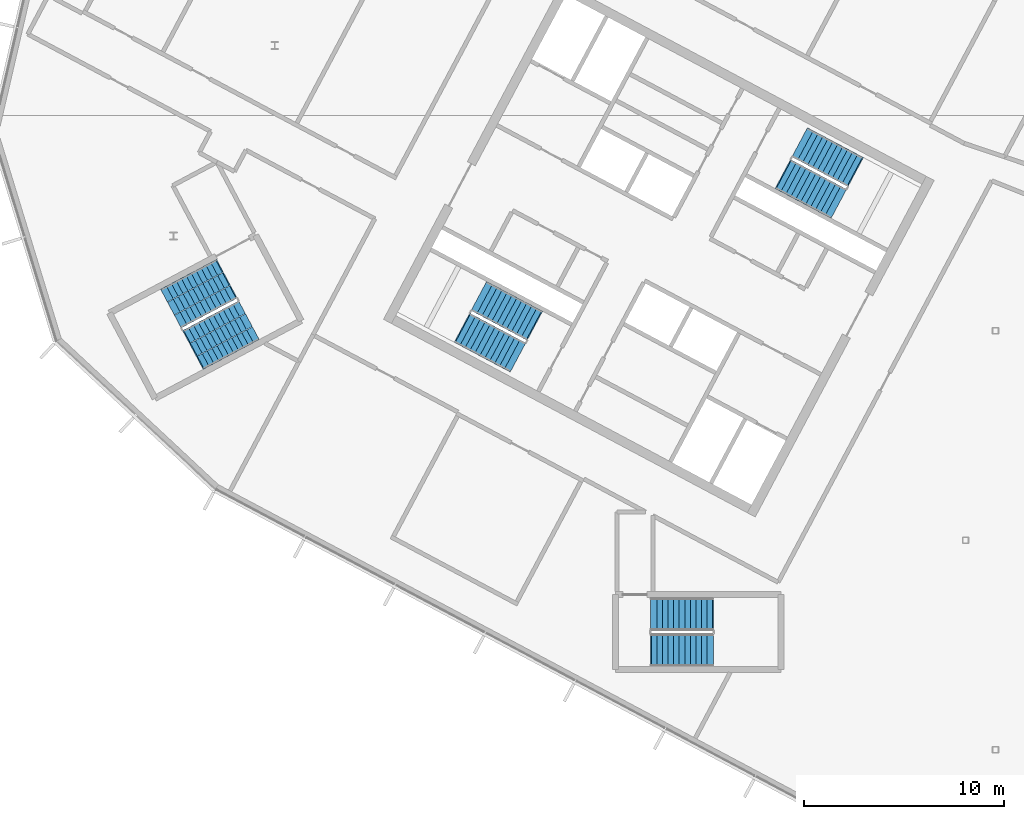
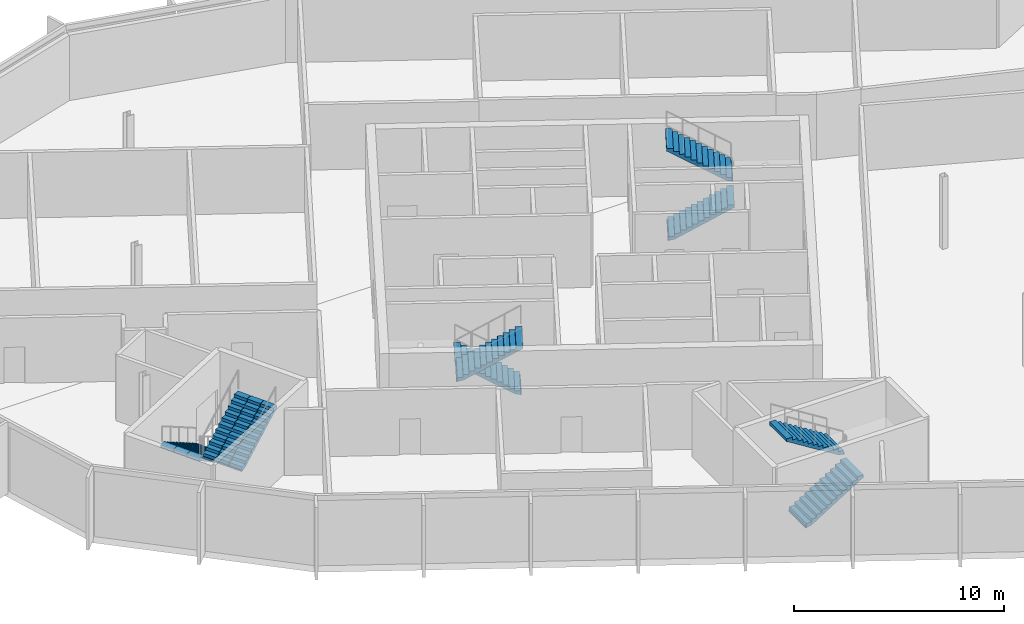
# One storey, part 9 of 16: 8 stair flights, 4 elements without a shape of their own.
"""IFC4 building model written with IfcOpenShell, lengths in metres."""

from ifc_helpers import new_model, si_unit, direction, frame, origin, place, context, subcontext, project, spatial, polyline, outline, extrude, material, type_object, element, aggregate, save


model = new_model("IFC4")

# Units and contexts
model_context = context("Model", 3, precision=1e-05, world=origin(), true_north=direction((0.0, 1.0)))
body_context = subcontext(model_context, "Body", "Model", "MODEL_VIEW")
ifc_project = project(units=[si_unit("LENGTHUNIT", "METRE"), si_unit("AREAUNIT", "SQUARE_METRE"), si_unit("VOLUMEUNIT", "CUBIC_METRE"), si_unit("PLANEANGLEUNIT", "RADIAN"), si_unit("MASSUNIT", "GRAM", prefix="KILO")], contexts=[model_context])

# Site, building, storey
site_placement = place(None, origin())
site = spatial("IfcSite", under=ifc_project, at=site_placement, CompositionType="ELEMENT")
building_placement = place(site_placement, origin())
building = spatial("IfcBuilding", under=site, at=building_placement, Name="Cormorant Relay Tower", CompositionType="ELEMENT")
storey_placement = place(building_placement, frame((0.0, 0.0, 328.199951171875)))
storey = spatial("IfcBuildingStorey", under=building, at=storey_placement, Name="C1", CompositionType="ELEMENT", Elevation=328.199951171875)

# Stair, stair flights
ifc_material_1 = material(Name="Concrete 40 MPa", Category="concrete")
stair_type_1 = type_object("IfcStairType", Name="Exit stair 1500", PredefinedType="HALF_TURN_STAIR", material=ifc_material_1)
stair_1_placement = place(storey_placement, origin())
stair_1 = element("IfcStair", 1, at=stair_1_placement, inside=storey, type_object=stair_type_1, Name="C1 Stair", PredefinedType="HALF_TURN_STAIR")
ifc_material_2 = material(Name="Concrete 40 MPa", Category="concrete")
stair_flight_type_1 = type_object("IfcStairFlightType", Name="Exit stair flight 1650", PredefinedType="STRAIGHT", material=ifc_material_2)
stair_flight_1_placement = place(storey_placement, frame((-21.114501953125, 18.33349609375, 0.0), z_axis=(0.0, 0.0, 1.0), x_axis=(0.882947592859, -0.469471562786, 0.0)))
stair_flight_1 = element("IfcStairFlight", 2, at=stair_flight_1_placement, type_object=stair_flight_type_1, Name="A1 flight 1", NumberOfRisers=12, NumberOfTreads=11, PredefinedType="STRAIGHT", RiserHeight=0.175, TreadLength=0.28, context=body_context, shape_type="SweptSolid", body=[
    extrude(outline(polyline([(-0.050048828125, -0.080078125), (-0.050048828125, 0.0), (0.0, 0.0), (0.0, 0.175048828125), (0.280029296875, 0.175048828125), (0.280029296875, 0.35009765625), (0.56005859375, 0.35009765625), (0.56005859375, 0.52490234375), (0.840087890625, 0.52490234375), (0.840087890625, 0.699951171875), (1.1201171875, 0.699951171875), (1.1201171875, 0.875), (1.39990234375, 0.875), (1.39990234375, 1.050048828125), (1.679931640625, 1.050048828125), (1.679931640625, 1.22509765625), (1.9599609375, 1.22509765625), (1.9599609375, 1.39990234375), (2.239990234375, 1.39990234375), (2.239990234375, 1.574951171875), (2.52001953125, 1.574951171875), (2.52001953125, 1.75), (2.800048828125, 1.75), (2.800048828125, 1.925048828125), (3.080078125, 1.925048828125), (3.130126953125, 1.925048828125), (3.130126953125, 1.748291015625), (3.080078125, 1.748291015625), (0.28271484375, 0.0), (-0.050048828125, -0.080078125)])), frame((0.0, 0.824951171875, 0.0), z_axis=(0.0, -1.0, 0.0), x_axis=(1.0, 0.0, 0.0)), (0.0, 0.0, 1.0), 1.64990234375),
])
stair_flight_2_placement = place(storey_placement, frame((-17.5498046875, 18.47705078125, 2.10009765625), z_axis=(0.0, 0.0, 1.0), x_axis=(-0.882947592859, 0.469471562786, 0.0)))
stair_flight_2 = element("IfcStairFlight", 3, at=stair_flight_2_placement, type_object=stair_flight_type_1, Name="A1 flight 2", NumberOfRisers=12, NumberOfTreads=11, PredefinedType="STRAIGHT", RiserHeight=0.175, TreadLength=0.28, context=body_context, shape_type="SweptSolid", body=[
    extrude(outline(polyline([(-0.050048828125, -0.080078125), (-0.050048828125, 0.0), (0.0, 0.0), (0.0, 0.175048828125), (0.280029296875, 0.175048828125), (0.280029296875, 0.35009765625), (0.56005859375, 0.35009765625), (0.56005859375, 0.52490234375), (0.840087890625, 0.52490234375), (0.840087890625, 0.699951171875), (1.1201171875, 0.699951171875), (1.1201171875, 0.875), (1.39990234375, 0.875), (1.39990234375, 1.050048828125), (1.679931640625, 1.050048828125), (1.679931640625, 1.22509765625), (1.9599609375, 1.22509765625), (1.9599609375, 1.39990234375), (2.239990234375, 1.39990234375), (2.239990234375, 1.574951171875), (2.52001953125, 1.574951171875), (2.52001953125, 1.75), (2.800048828125, 1.75), (2.800048828125, 1.925048828125), (3.080078125, 1.925048828125), (3.130126953125, 1.925048828125), (3.130126953125, 1.748291015625), (3.080078125, 1.748291015625), (0.28271484375, 0.0), (-0.050048828125, -0.080078125)])), frame((0.0, 0.824951171875, 0.0), z_axis=(0.0, -1.0, 0.0), x_axis=(1.0, 0.0, 0.0)), (0.0, 0.0, 1.0), 1.64990234375),
])
aggregate(stair_1, [stair_flight_1, stair_flight_2])

stair_2_placement = place(storey_placement, origin())
stair_2 = element("IfcStair", 4, at=stair_2_placement, inside=storey, type_object=stair_type_1, Name="C1 Stair", PredefinedType="HALF_TURN_STAIR")
stair_flight_3_placement = place(storey_placement, frame((-33.62841796875, 10.773681640625, 0.0), z_axis=(0.0, 0.0, 1.0), x_axis=(-0.882947592859, 0.469471562786, 0.0)))
stair_flight_3 = element("IfcStairFlight", 5, at=stair_flight_3_placement, type_object=stair_flight_type_1, Name="A2 flight 1", NumberOfRisers=12, NumberOfTreads=11, PredefinedType="STRAIGHT", RiserHeight=0.175, TreadLength=0.28, context=body_context, shape_type="SweptSolid", body=[
    extrude(outline(polyline([(-0.050048828125, -0.080078125), (-0.050048828125, 0.0), (0.0, 0.0), (0.0, 0.175048828125), (0.280029296875, 0.175048828125), (0.280029296875, 0.35009765625), (0.56005859375, 0.35009765625), (0.56005859375, 0.52490234375), (0.840087890625, 0.52490234375), (0.840087890625, 0.699951171875), (1.1201171875, 0.699951171875), (1.1201171875, 0.875), (1.39990234375, 0.875), (1.39990234375, 1.050048828125), (1.679931640625, 1.050048828125), (1.679931640625, 1.22509765625), (1.9599609375, 1.22509765625), (1.9599609375, 1.39990234375), (2.239990234375, 1.39990234375), (2.239990234375, 1.574951171875), (2.52001953125, 1.574951171875), (2.52001953125, 1.75), (2.800048828125, 1.75), (2.800048828125, 1.925048828125), (3.080078125, 1.925048828125), (3.130126953125, 1.925048828125), (3.130126953125, 1.748291015625), (3.080078125, 1.748291015625), (0.28271484375, 0.0), (-0.050048828125, -0.080078125)])), frame((0.0, 0.824951171875, 0.0), z_axis=(0.0, -1.0, 0.0), x_axis=(1.0, 0.0, 0.0)), (0.0, 0.0, 1.0), 1.64990234375),
])
stair_flight_4_placement = place(storey_placement, frame((-37.19287109375, 10.63037109375, 2.10009765625), z_axis=(0.0, 0.0, 1.0), x_axis=(0.882947592859, -0.469471562786, 0.0)))
stair_flight_4 = element("IfcStairFlight", 6, at=stair_flight_4_placement, type_object=stair_flight_type_1, Name="A2 flight 2", NumberOfRisers=12, NumberOfTreads=11, PredefinedType="STRAIGHT", RiserHeight=0.175, TreadLength=0.28, context=body_context, shape_type="SweptSolid", body=[
    extrude(outline(polyline([(-0.050048828125, -0.080078125), (-0.050048828125, 0.0), (0.0, 0.0), (0.0, 0.175048828125), (0.280029296875, 0.175048828125), (0.280029296875, 0.35009765625), (0.56005859375, 0.35009765625), (0.56005859375, 0.52490234375), (0.840087890625, 0.52490234375), (0.840087890625, 0.699951171875), (1.1201171875, 0.699951171875), (1.1201171875, 0.875), (1.39990234375, 0.875), (1.39990234375, 1.050048828125), (1.679931640625, 1.050048828125), (1.679931640625, 1.22509765625), (1.9599609375, 1.22509765625), (1.9599609375, 1.39990234375), (2.239990234375, 1.39990234375), (2.239990234375, 1.574951171875), (2.52001953125, 1.574951171875), (2.52001953125, 1.75), (2.800048828125, 1.75), (2.800048828125, 1.925048828125), (3.080078125, 1.925048828125), (3.130126953125, 1.925048828125), (3.130126953125, 1.748291015625), (3.080078125, 1.748291015625), (0.28271484375, 0.0), (-0.050048828125, -0.080078125)])), frame((0.0, 0.824951171875, 0.0), z_axis=(0.0, -1.0, 0.0), x_axis=(1.0, 0.0, 0.0)), (0.0, 0.0, 1.0), 1.64990234375),
])
aggregate(stair_2, [stair_flight_3, stair_flight_4])

stair_3_placement = place(storey_placement, origin())
stair_3 = element("IfcStair", 7, at=stair_3_placement, inside=storey, type_object=stair_type_1, Name="C1 Stair", PredefinedType="HALF_TURN_STAIR")
stair_flight_5_placement = place(storey_placement, frame((-27.75, -5.5, 0.0), z_axis=(0.0, 0.0, 1.0), x_axis=(1.0, 0.0, 0.0)))
stair_flight_5 = element("IfcStairFlight", 8, at=stair_flight_5_placement, type_object=stair_flight_type_1, Name="RC1 flight 1", NumberOfRisers=12, NumberOfTreads=11, PredefinedType="STRAIGHT", RiserHeight=0.175, TreadLength=0.28, context=body_context, shape_type="SweptSolid", body=[
    extrude(outline(polyline([(-0.050048828125, -0.080078125), (-0.050048828125, 0.0), (0.0, 0.0), (0.0, 0.175048828125), (0.280029296875, 0.175048828125), (0.280029296875, 0.35009765625), (0.56005859375, 0.35009765625), (0.56005859375, 0.52490234375), (0.840087890625, 0.52490234375), (0.840087890625, 0.699951171875), (1.1201171875, 0.699951171875), (1.1201171875, 0.875), (1.39990234375, 0.875), (1.39990234375, 1.050048828125), (1.679931640625, 1.050048828125), (1.679931640625, 1.22509765625), (1.9599609375, 1.22509765625), (1.9599609375, 1.39990234375), (2.239990234375, 1.39990234375), (2.239990234375, 1.574951171875), (2.52001953125, 1.574951171875), (2.52001953125, 1.75), (2.800048828125, 1.75), (2.800048828125, 1.925048828125), (3.080078125, 1.925048828125), (3.130126953125, 1.925048828125), (3.130126953125, 1.748291015625), (3.080078125, 1.748291015625), (0.28271484375, 0.0), (-0.050048828125, -0.080078125)])), frame((0.0, 0.824951171875, 0.0), z_axis=(0.0, -1.0, 0.0), x_axis=(1.0, 0.0, 0.0)), (0.0, 0.0, 1.0), 1.64990234375),
])
stair_flight_6_placement = place(storey_placement, frame((-24.669921875, -3.699951171875, 2.10009765625), z_axis=(0.0, 0.0, 1.0), x_axis=(-1.0, 0.0, 0.0)))
stair_flight_6 = element("IfcStairFlight", 9, at=stair_flight_6_placement, type_object=stair_flight_type_1, Name="RC1 flight 2", NumberOfRisers=12, NumberOfTreads=11, PredefinedType="STRAIGHT", RiserHeight=0.175, TreadLength=0.28, context=body_context, shape_type="SweptSolid", body=[
    extrude(outline(polyline([(-0.050048828125, -0.080078125), (-0.050048828125, 0.0), (0.0, 0.0), (0.0, 0.175048828125), (0.280029296875, 0.175048828125), (0.280029296875, 0.35009765625), (0.56005859375, 0.35009765625), (0.56005859375, 0.52490234375), (0.840087890625, 0.52490234375), (0.840087890625, 0.699951171875), (1.1201171875, 0.699951171875), (1.1201171875, 0.875), (1.39990234375, 0.875), (1.39990234375, 1.050048828125), (1.679931640625, 1.050048828125), (1.679931640625, 1.22509765625), (1.9599609375, 1.22509765625), (1.9599609375, 1.39990234375), (2.239990234375, 1.39990234375), (2.239990234375, 1.574951171875), (2.52001953125, 1.574951171875), (2.52001953125, 1.75), (2.800048828125, 1.75), (2.800048828125, 1.925048828125), (3.080078125, 1.925048828125), (3.130126953125, 1.925048828125), (3.130126953125, 1.748291015625), (3.080078125, 1.748291015625), (0.28271484375, 0.0), (-0.050048828125, -0.080078125)])), frame((0.0, 0.824951171875, 0.0), z_axis=(0.0, -1.0, 0.0), x_axis=(1.0, 0.0, 0.0)), (0.0, 0.0, 1.0), 1.64990234375),
])
aggregate(stair_3, [stair_flight_5, stair_flight_6])

ifc_material_3 = material(Name="Concrete 40 MPa", Category="concrete")
stair_type_2 = type_object("IfcStairType", Name="Remote exit stair 2200", PredefinedType="HALF_TURN_STAIR", material=ifc_material_3)
stair_4_placement = place(storey_placement, origin())
stair_4 = element("IfcStair", 10, at=stair_4_placement, inside=storey, type_object=stair_type_2, Name="C1 Stair", PredefinedType="HALF_TURN_STAIR")
ifc_material_4 = material(Name="Concrete 40 MPa", Category="concrete")
stair_flight_type_2 = type_object("IfcStairFlightType", Name="Remote exit stair flight 2200", PredefinedType="STRAIGHT", material=ifc_material_4)
stair_flight_7_placement = place(storey_placement, frame((-49.062255859375, 13.08251953125, 0.0), z_axis=(0.0, 0.0, 1.0), x_axis=(-0.882947502727, -0.4694717323, 0.0)))
stair_flight_7 = element("IfcStairFlight", 11, at=stair_flight_7_placement, type_object=stair_flight_type_2, Name="RP1 flight 1", NumberOfRisers=12, NumberOfTreads=11, PredefinedType="STRAIGHT", RiserHeight=0.175, TreadLength=0.28, context=body_context, shape_type="SweptSolid", body=[
    extrude(outline(polyline([(-0.050048828125, -0.080078125), (-0.050048828125, 0.0), (0.0, 0.0), (0.0, 0.175048828125), (0.280029296875, 0.175048828125), (0.280029296875, 0.35009765625), (0.56005859375, 0.35009765625), (0.56005859375, 0.52490234375), (0.840087890625, 0.52490234375), (0.840087890625, 0.699951171875), (1.1201171875, 0.699951171875), (1.1201171875, 0.875), (1.39990234375, 0.875), (1.39990234375, 1.050048828125), (1.679931640625, 1.050048828125), (1.679931640625, 1.22509765625), (1.9599609375, 1.22509765625), (1.9599609375, 1.39990234375), (2.239990234375, 1.39990234375), (2.239990234375, 1.574951171875), (2.52001953125, 1.574951171875), (2.52001953125, 1.75), (2.800048828125, 1.75), (2.800048828125, 1.925048828125), (3.080078125, 1.925048828125), (3.130126953125, 1.925048828125), (3.130126953125, 1.748291015625), (3.080078125, 1.748291015625), (0.28271484375, 0.0), (-0.050048828125, -0.080078125)])), frame((0.0, 1.10009765625, 0.0), z_axis=(0.0, -1.0, 0.0), x_axis=(1.0, 0.0, 0.0)), (0.0, 0.0, 1.0), 0.719970703125),
    extrude(outline(polyline([(-0.050048828125, -0.080078125), (-0.050048828125, 0.0), (0.0, 0.0), (0.0, 0.175048828125), (0.280029296875, 0.175048828125), (0.280029296875, 0.35009765625), (0.56005859375, 0.35009765625), (0.56005859375, 0.52490234375), (0.840087890625, 0.52490234375), (0.840087890625, 0.699951171875), (1.1201171875, 0.699951171875), (1.1201171875, 0.875), (1.39990234375, 0.875), (1.39990234375, 1.050048828125), (1.679931640625, 1.050048828125), (1.679931640625, 1.22509765625), (1.9599609375, 1.22509765625), (1.9599609375, 1.39990234375), (2.239990234375, 1.39990234375), (2.239990234375, 1.574951171875), (2.52001953125, 1.574951171875), (2.52001953125, 1.75), (2.800048828125, 1.75), (2.800048828125, 1.925048828125), (3.080078125, 1.925048828125), (3.130126953125, 1.925048828125), (3.130126953125, 1.748291015625), (3.080078125, 1.748291015625), (0.28271484375, 0.0), (-0.050048828125, -0.080078125)])), frame((0.0, 0.360107421875, 0.0), z_axis=(0.0, -1.0, 0.0), x_axis=(1.0, 0.0, 0.0)), (0.0, 0.0, 1.0), 0.719970703125),
    extrude(outline(polyline([(-0.050048828125, -0.080078125), (-0.050048828125, 0.0), (0.0, 0.0), (0.0, 0.175048828125), (0.280029296875, 0.175048828125), (0.280029296875, 0.35009765625), (0.56005859375, 0.35009765625), (0.56005859375, 0.52490234375), (0.840087890625, 0.52490234375), (0.840087890625, 0.699951171875), (1.1201171875, 0.699951171875), (1.1201171875, 0.875), (1.39990234375, 0.875), (1.39990234375, 1.050048828125), (1.679931640625, 1.050048828125), (1.679931640625, 1.22509765625), (1.9599609375, 1.22509765625), (1.9599609375, 1.39990234375), (2.239990234375, 1.39990234375), (2.239990234375, 1.574951171875), (2.52001953125, 1.574951171875), (2.52001953125, 1.75), (2.800048828125, 1.75), (2.800048828125, 1.925048828125), (3.080078125, 1.925048828125), (3.130126953125, 1.925048828125), (3.130126953125, 1.748291015625), (3.080078125, 1.748291015625), (0.28271484375, 0.0), (-0.050048828125, -0.080078125)])), frame((0.0, -0.3798828125, 0.0), z_axis=(0.0, -1.0, 0.0), x_axis=(1.0, 0.0, 0.0)), (0.0, 0.0, 1.0), 0.719970703125),
])
stair_flight_8_placement = place(storey_placement, frame((-50.678466796875, 9.5615234375, 2.10009765625), z_axis=(0.0, 0.0, 1.0), x_axis=(0.882947502727, 0.4694717323, 0.0)))
stair_flight_8 = element("IfcStairFlight", 12, at=stair_flight_8_placement, type_object=stair_flight_type_2, Name="RP1 flight 2", NumberOfRisers=12, NumberOfTreads=11, PredefinedType="STRAIGHT", RiserHeight=0.175, TreadLength=0.28, context=body_context, shape_type="SweptSolid", body=[
    extrude(outline(polyline([(-0.050048828125, -0.080078125), (-0.050048828125, 0.0), (0.0, 0.0), (0.0, 0.175048828125), (0.280029296875, 0.175048828125), (0.280029296875, 0.35009765625), (0.56005859375, 0.35009765625), (0.56005859375, 0.52490234375), (0.840087890625, 0.52490234375), (0.840087890625, 0.699951171875), (1.1201171875, 0.699951171875), (1.1201171875, 0.875), (1.39990234375, 0.875), (1.39990234375, 1.050048828125), (1.679931640625, 1.050048828125), (1.679931640625, 1.22509765625), (1.9599609375, 1.22509765625), (1.9599609375, 1.39990234375), (2.239990234375, 1.39990234375), (2.239990234375, 1.574951171875), (2.52001953125, 1.574951171875), (2.52001953125, 1.75), (2.800048828125, 1.75), (2.800048828125, 1.925048828125), (3.080078125, 1.925048828125), (3.130126953125, 1.925048828125), (3.130126953125, 1.748291015625), (3.080078125, 1.748291015625), (0.28271484375, 0.0), (-0.050048828125, -0.080078125)])), frame((0.0, 1.10009765625, 0.0), z_axis=(0.0, -1.0, 0.0), x_axis=(1.0, 0.0, 0.0)), (0.0, 0.0, 1.0), 0.719970703125),
    extrude(outline(polyline([(-0.050048828125, -0.080078125), (-0.050048828125, 0.0), (0.0, 0.0), (0.0, 0.175048828125), (0.280029296875, 0.175048828125), (0.280029296875, 0.35009765625), (0.56005859375, 0.35009765625), (0.56005859375, 0.52490234375), (0.840087890625, 0.52490234375), (0.840087890625, 0.699951171875), (1.1201171875, 0.699951171875), (1.1201171875, 0.875), (1.39990234375, 0.875), (1.39990234375, 1.050048828125), (1.679931640625, 1.050048828125), (1.679931640625, 1.22509765625), (1.9599609375, 1.22509765625), (1.9599609375, 1.39990234375), (2.239990234375, 1.39990234375), (2.239990234375, 1.574951171875), (2.52001953125, 1.574951171875), (2.52001953125, 1.75), (2.800048828125, 1.75), (2.800048828125, 1.925048828125), (3.080078125, 1.925048828125), (3.130126953125, 1.925048828125), (3.130126953125, 1.748291015625), (3.080078125, 1.748291015625), (0.28271484375, 0.0), (-0.050048828125, -0.080078125)])), frame((0.0, 0.360107421875, 0.0), z_axis=(0.0, -1.0, 0.0), x_axis=(1.0, 0.0, 0.0)), (0.0, 0.0, 1.0), 0.719970703125),
    extrude(outline(polyline([(-0.050048828125, -0.080078125), (-0.050048828125, 0.0), (0.0, 0.0), (0.0, 0.175048828125), (0.280029296875, 0.175048828125), (0.280029296875, 0.35009765625), (0.56005859375, 0.35009765625), (0.56005859375, 0.52490234375), (0.840087890625, 0.52490234375), (0.840087890625, 0.699951171875), (1.1201171875, 0.699951171875), (1.1201171875, 0.875), (1.39990234375, 0.875), (1.39990234375, 1.050048828125), (1.679931640625, 1.050048828125), (1.679931640625, 1.22509765625), (1.9599609375, 1.22509765625), (1.9599609375, 1.39990234375), (2.239990234375, 1.39990234375), (2.239990234375, 1.574951171875), (2.52001953125, 1.574951171875), (2.52001953125, 1.75), (2.800048828125, 1.75), (2.800048828125, 1.925048828125), (3.080078125, 1.925048828125), (3.130126953125, 1.925048828125), (3.130126953125, 1.748291015625), (3.080078125, 1.748291015625), (0.28271484375, 0.0), (-0.050048828125, -0.080078125)])), frame((0.0, -0.3798828125, 0.0), z_axis=(0.0, -1.0, 0.0), x_axis=(1.0, 0.0, 0.0)), (0.0, 0.0, 1.0), 0.719970703125),
])
aggregate(stair_4, [stair_flight_7, stair_flight_8])

save(model, "model.ifc")
